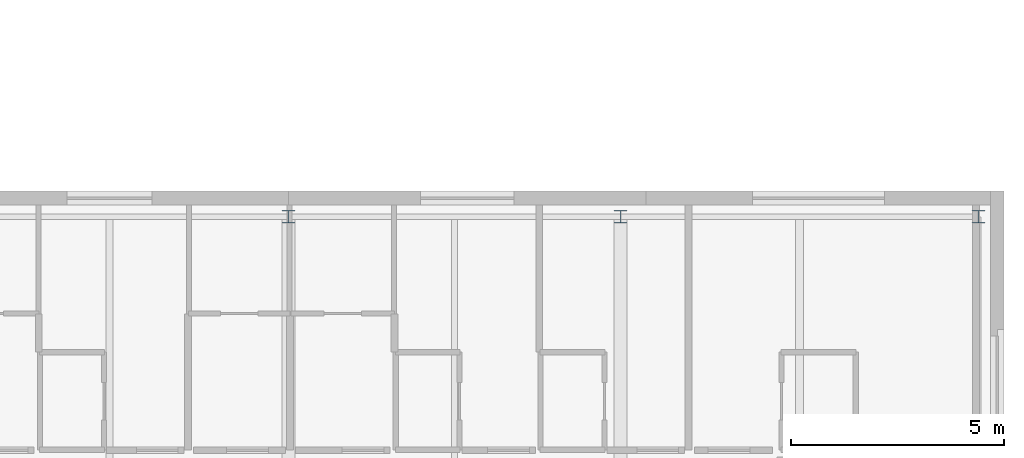
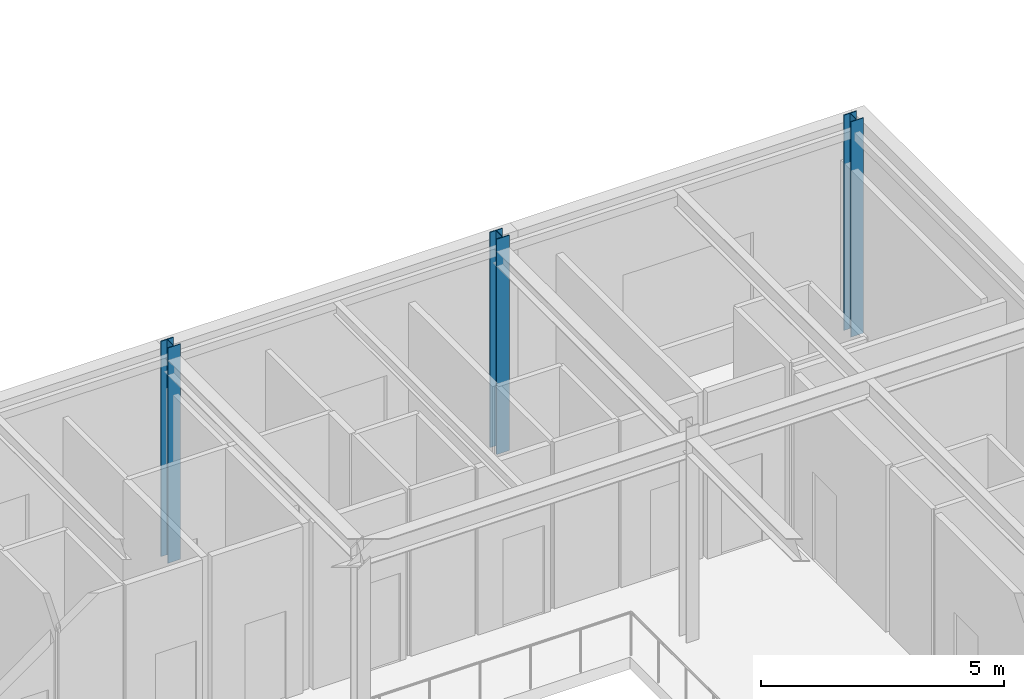
# One storey, part 7 of 139: 3 columns.
"""IFC4 building model written with IfcOpenShell, lengths in metres."""

from ifc_helpers import new_model, si_unit, direction, frame, origin, origin_2d, place, context, subcontext, project, spatial, i_section, extrude, material, material_profile, profile_set, type_object, element, save


model = new_model("IFC4")

# Units and contexts
model_context = context("Model", 3, precision=1e-05, world=origin(), true_north=direction((0.0, 1.0)))
body_context = subcontext(model_context, "Body", "Model", "MODEL_VIEW")
ifc_project = project(units=[si_unit("LENGTHUNIT", "METRE"), si_unit("AREAUNIT", "SQUARE_METRE"), si_unit("VOLUMEUNIT", "CUBIC_METRE"), si_unit("PLANEANGLEUNIT", "RADIAN"), si_unit("MASSUNIT", "GRAM", prefix="KILO")], contexts=[model_context])

# Site, building, storey
site_placement = place(None, origin())
site = spatial("IfcSite", under=ifc_project, at=site_placement, CompositionType="ELEMENT")
building_placement = place(site_placement, origin())
building = spatial("IfcBuilding", under=site, at=building_placement, Name="Zayran Congress Hotel", CompositionType="ELEMENT")
storey_placement = place(building_placement, frame((0.0, 0.0, 5.39990234375)))
storey = spatial("IfcBuildingStorey", under=building, at=storey_placement, Name="L01", CompositionType="ELEMENT", Elevation=5.39990234375)

# Columns
ifc_material = material(Name="Steel S355", Category="steel")
ifc_material_profile = material_profile(ifc_material, i_section(OverallWidth=0.300048828125, OverallDepth=0.300048828125, WebThickness=0.010986328125, FlangeThickness=0.01904296875, at=origin_2d()), Name="HEB 300")
ifc_profile_set = profile_set([ifc_material_profile], Name="Steel S355")
column_type = type_object("IfcColumnType", Name="TP-CL-08", PredefinedType="COLUMN", material=ifc_profile_set)
for number, where, z_axis, x_axis, name in (
    (1, (176.39990234375, 41.800048828125, 0.0), (0.0, 0.0, 1.0), (1.0, 0.0, 0.0), "COL-V3-L01-0667"),
    (2, (184.199951171875, 41.800048828125, 0.0), (0.0, 0.0, 1.0), (1.0, 0.0, 0.0), "COL-V3-L01-0673"),
    (3, (192.60009765625, 41.800048828125, 0.0), (0.0, 0.0, 1.0), (1.0, 0.0, 0.0), "COL-V3-L01-0679"),
):
    element("IfcColumn", number, at=place(storey_placement, frame(where, z_axis=z_axis, x_axis=x_axis)), inside=storey, type_object=column_type, Name=name, PredefinedType="COLUMN", context=body_context, shape_type="SweptSolid", body=[
        extrude(i_section(OverallWidth=0.300048828125, OverallDepth=0.300048828125, WebThickness=0.010986328125, FlangeThickness=0.01904296875, at=origin_2d()), origin(), (0.0, 0.0, 1.0), 5.400146484375),
    ])

save(model, "model.ifc")
